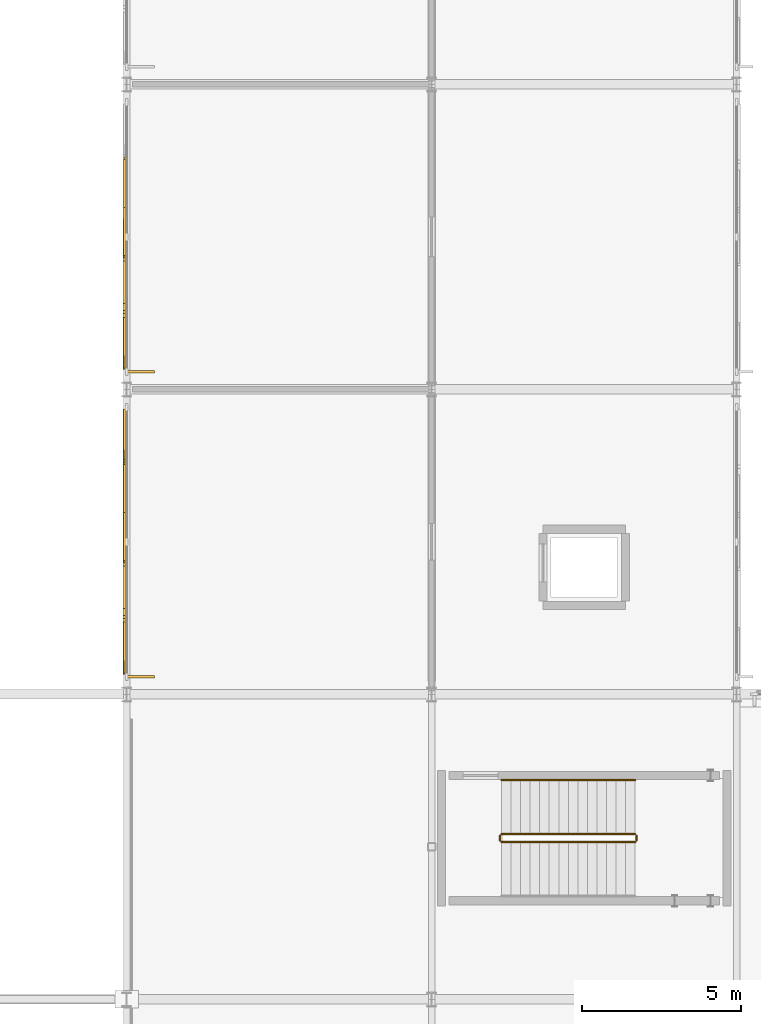
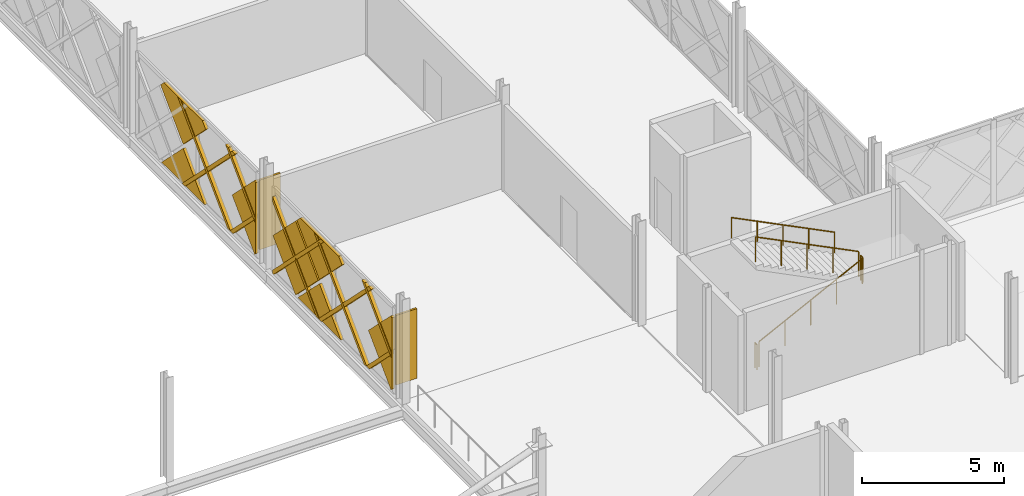
# One storey, part 78 of 101: 17 coverings, 5 railings, 2 shading devices.
"""IFC4 building model written with IfcOpenShell, lengths in metres."""

from ifc_helpers import new_model, si_unit, direction, frame, origin, origin_2d, place, context, subcontext, project, spatial, polyline, rectangle, circle, outline, extrude, material, layer, layer_set, type_object, element, save


model = new_model("IFC4")

# Units and contexts
model_context = context("Model", 3, precision=1e-05, world=origin(), true_north=direction((0.0, 1.0)))
body_context = subcontext(model_context, "Body", "Model", "MODEL_VIEW")
ifc_project = project(units=[si_unit("LENGTHUNIT", "METRE"), si_unit("AREAUNIT", "SQUARE_METRE"), si_unit("VOLUMEUNIT", "CUBIC_METRE"), si_unit("PLANEANGLEUNIT", "RADIAN"), si_unit("MASSUNIT", "GRAM", prefix="KILO")], contexts=[model_context])

# Site, building, storey
site_placement = place(None, origin())
site = spatial("IfcSite", under=ifc_project, at=site_placement, CompositionType="ELEMENT")
building_placement = place(site_placement, origin())
building = spatial("IfcBuilding", under=site, at=building_placement, Name="Zevrakil Square Congress Hotel", CompositionType="ELEMENT")
storey_placement = place(building_placement, frame((0.0, 0.0, 5.39990234375)))
storey = spatial("IfcBuildingStorey", under=building, at=storey_placement, Name="L02", CompositionType="ELEMENT", Elevation=5.39990234375)

# Coverings
ifc_material_1 = material(Name="Architectural White Fibre-C GRC", Category="concrete")
ifc_layer_1 = layer(ifc_material_1, 0.06494140625)
ifc_layer_set_1 = layer_set([ifc_layer_1], Name="Architectural White Fibre-C GRC")
covering_type_1 = type_object("IfcCoveringType", Name="COV-DIA-WHITE", PredefinedType="CLADDING", material=ifc_layer_set_1)
covering_1_placement = place(storey_placement, frame((45.506103515625, 51.320068359375, 1.590087890625), z_axis=(-0.999999673239, 0.0, 0.000808407173), x_axis=(-0.000571630288, -0.707106665659, -0.707106665659)))
element("IfcCovering", 1, at=covering_1_placement, inside=storey, type_object=covering_type_1, Name="L02 45-degree white GRC diamond facade cassette 442", PredefinedType="CLADDING", context=body_context, shape_type="SweptSolid", body=[
    extrude(outline(polyline([(0.0, 0.0), (2.1354766387581616, -2.220446049250313e-16), (6.977908784122633e-07, -2.135476638758047), (0.0, 0.0)])), origin(), (0.0, 0.0, -1.0), 0.1201171875),
])
covering_2_placement = place(storey_placement, frame((45.507080078125, 53.0, 3.27001953125), z_axis=(-0.999999812555, 0.0, 0.000612282088), x_axis=(-0.000432915616, -0.707161000838, -0.707052424844)))
element("IfcCovering", 2, at=covering_2_placement, inside=storey, type_object=covering_type_1, Name="L02 45-degree white GRC diamond facade cassette 443", PredefinedType="CLADDING", context=body_context, shape_type="SweptSolid", body=[
    extrude(outline(polyline([(0.0, 0.0), (2.248551445484592, 0.0), (2.2483792228800303, -2.2487240657380205), (0.013811102109335449, -2.2485525032084603), (-0.000343756005215079, -2.2343954741070595), (0.0, 0.0)])), origin(), (0.0, 0.0, -1.0), 0.1201171875),
])
covering_3_placement = place(storey_placement, frame((45.505126953125, 46.280029296875, 0.090087890625), z_axis=(-0.999999802693, 0.000140288523, 0.000612317754), x_axis=(0.000532173021, 0.707106704163, 0.707106657952)))
element("IfcCovering", 3, at=covering_3_placement, inside=storey, type_object=covering_type_1, Name="L02 45-degree white GRC diamond facade cassette 444", PredefinedType="CLADDING", context=body_context, shape_type="SweptSolid", body=[
    extrude(outline(polyline([(0.0, 0.0), (2.2487240615588604, 0.0), (2.2485518743178146, -2.248551427521986), (2.1637887120631065, -2.2487239918022137), (-2.7753788503503962e-09, -0.08493567308714237), (0.0, 0.0)])), origin(), (0.0, 0.0, -1.0), 0.1201171875),
])
covering_4_placement = place(storey_placement, frame((45.507080078125, 49.72998046875, 3.360107421875), z_axis=(-0.99999988378, 0.0, 0.000482120757), x_axis=(-0.000340910888, 0.70710671759, -0.707106762603)))
element("IfcCovering", 4, at=covering_4_placement, inside=storey, type_object=covering_type_1, Name="L02 45-degree white GRC diamond facade cassette 445", PredefinedType="CLADDING", context=body_context, shape_type="SweptSolid", body=[
    extrude(outline(polyline([(0.0, 0.0), (2.2487240625342793, 0.0), (2.2485510245639677, -2.2485514290272164), (1.9162315727308996, -2.248724013309207), (-1.0582731080344132e-08, -0.33249208530904567), (0.0, 0.0)])), origin(), (0.0, 0.0, -1.0), 0.1201171875),
])
covering_5_placement = place(storey_placement, frame((45.506103515625, 60.919921875, 1.590087890625), z_axis=(-0.999999673239, 0.0, 0.000808407173), x_axis=(-0.000571630288, -0.707106665659, -0.707106665659)))
element("IfcCovering", 5, at=covering_5_placement, inside=storey, type_object=covering_type_1, Name="L02 45-degree white GRC diamond facade cassette 465", PredefinedType="CLADDING", context=body_context, shape_type="SweptSolid", body=[
    extrude(outline(polyline([(0.0, 0.0), (2.1354766387581616, -2.220446049250313e-16), (6.977908784122633e-07, -2.135476638758047), (0.0, 0.0)])), origin(), (0.0, 0.0, -1.0), 0.1201171875),
])
covering_6_placement = place(storey_placement, frame((45.505126953125, 55.8798828125, 0.090087890625), z_axis=(-0.999999802683, 0.000140327885, 0.000612324892), x_axis=(0.000532205901, 0.707106704157, 0.707106657933)))
element("IfcCovering", 6, at=covering_6_placement, inside=storey, type_object=covering_type_1, Name="L02 45-degree white GRC diamond facade cassette 467", PredefinedType="CLADDING", context=body_context, shape_type="SweptSolid", body=[
    extrude(outline(polyline([(0.0, 0.0), (2.248724061551621, 2.220446049250313e-16), (2.2485518743230286, -2.2485514275168326), (2.163961345534469, -2.248551358294879), (0.00017263069657306312, -0.08476303958088106), (0.0, 0.0)])), origin(), (0.0, 0.0, -1.0), 0.1201171875),
])
covering_7_placement = place(storey_placement, frame((45.507080078125, 59.330078125, 3.360107421875), z_axis=(-0.99999988378, 0.0, 0.000482120757), x_axis=(-0.00034093706, 0.707052427073, -0.707161048936)))
element("IfcCovering", 7, at=covering_7_placement, inside=storey, type_object=covering_type_1, Name="L02 45-degree white GRC diamond facade cassette 468", PredefinedType="CLADDING", context=body_context, shape_type="SweptSolid", body=[
    extrude(outline(polyline([(0.0, 0.0), (2.248551435685312, 0.0), (2.2483783844304472, -2.248724055875673), (1.915886300105116, -2.248698479427272), (-0.00019815802754913348, -0.3323194375677735), (0.0, 0.0)])), origin(), (0.0, 0.0, -1.0), 0.1201171875),
])
ifc_material_2 = material(Name="Anodised Champagne Aluminium", Category="aluminium")
ifc_layer_2 = layer(ifc_material_2, 0.0849609375)
ifc_layer_set_2 = layer_set([ifc_layer_2], Name="Anodised Champagne Aluminium")
covering_type_2 = type_object("IfcCoveringType", Name="COV-DIAGRID-45", PredefinedType="MOLDING", material=ifc_layer_set_2)
covering_8_placement = place(storey_placement, frame((45.47998046875, 54.493896484375, 0.080078125), z_axis=(-0.999999883794, -0.000187841865, 0.000443989862), x_axis=(-0.000187841846, 0.999999982358, 8.34e-08)))
element("IfcCovering", 8, at=covering_8_placement, inside=storey, type_object=covering_type_2, Name="L02 45-degree aluminium diagrid rib 446", PredefinedType="MOLDING", context=body_context, shape_type="SweptSolid", body=[
    extrude(outline(polyline([(0.0, 0.0), (0.08618163910455907, 0.0), (0.0861816496313512, -0.12622069068424482), (-3.3027344363086577, -3.515137347849475), (-3.5148926356907024, -3.515137347849475), (0.0, 0.0)])), origin(), (0.0, 0.0, -1.0), 0.14501953125),
])
covering_9_placement = place(storey_placement, frame((45.47998046875, 51.1337890625, 0.080078125), z_axis=(-0.999999804633, 0.0, 0.000625086695), x_axis=(0.0, 1.0, 0.0)))
element("IfcCovering", 9, at=covering_9_placement, inside=storey, type_object=covering_type_2, Name="L02 45-degree aluminium diagrid rib 447", PredefinedType="MOLDING", context=body_context, shape_type="SweptSolid", body=[
    extrude(outline(polyline([(0.0, 0.0), (0.21240234375, 0.0), (-3.302734375, -3.515137405490821), (-3.514892578125, -3.515137405490821), (0.0, 0.0)])), origin(), (0.0, 0.0, -1.0), 0.14501953125),
])
covering_10_placement = place(storey_placement, frame((45.47998046875, 47.77392578125, 0.080078125), z_axis=(-0.999999559446, 0.000244467201, 0.000906280278), x_axis=(0.000244467101, 0.999999970118, -2.21556e-07)))
element("IfcCovering", 10, at=covering_10_placement, inside=storey, type_object=covering_type_2, Name="L02 45-degree aluminium diagrid rib 448", PredefinedType="MOLDING", context=body_context, shape_type="SweptSolid", body=[
    extrude(outline(polyline([(0.0, 0.0), (0.21215819678526596, 0.0), (-1.5539551245604528, -1.766113662255786), (-1.5539551372399212, -1.5539553249983964), (0.0, 0.0)])), origin(), (0.0, 0.0, -1.0), 0.14501953125),
])
covering_11_placement = place(storey_placement, frame((45.48193359375, 54.580078125, 3.154052734375), z_axis=(-0.999999905696, 0.00030708991, 0.00030708991), x_axis=(0.000307089896, -9.4304e-08, 0.999999952848)))
element("IfcCovering", 11, at=covering_11_placement, inside=storey, type_object=covering_type_2, Name="L02 45-degree aluminium diagrid rib 449", PredefinedType="MOLDING", context=body_context, shape_type="SweptSolid", body=[
    extrude(outline(polyline([(0.0, 0.0), (0.2121581931212936, 0.0), (-3.0739747543193885, -3.2861332573369064), (-3.073974774326802, -3.0739750642156136), (0.0, 0.0)])), origin(), (0.0, 0.0, -1.0), 0.14501953125),
])
covering_12_placement = place(storey_placement, frame((45.482177734375, 51.6611328125, 3.59521484375), z_axis=(-0.999999804633, 0.0, 0.000625086695), x_axis=(0.0, -1.0, 0.0)))
element("IfcCovering", 12, at=covering_12_placement, inside=storey, type_object=covering_type_2, Name="L02 45-degree aluminium diagrid rib 450", PredefinedType="MOLDING", context=body_context, shape_type="SweptSolid", body=[
    extrude(outline(polyline([(0.0, 0.0), (0.212158203125, 0.0), (3.727294921875, -3.5151374054908215), (3.51513671875, -3.5151374054908215), (0.0, 0.0)])), origin(), (0.0, 0.0, -1.0), 0.14501953125),
])
covering_13_placement = place(storey_placement, frame((45.482177734375, 48.301025390625, 3.59521484375), z_axis=(-0.999999904499, 0.000309210719, 0.000308855304), x_axis=(-0.000309210704, -0.999999952194, 9.5501e-08)))
element("IfcCovering", 13, at=covering_13_placement, inside=storey, type_object=covering_type_2, Name="L02 45-degree aluminium diagrid rib 451", PredefinedType="MOLDING", context=body_context, shape_type="SweptSolid", body=[
    extrude(outline(polyline([(0.0, 0.0), (0.21215819298264227, 0.0), (2.0810547869861464, -1.8688967722571304), (2.0810547667014307, -2.08129910587643), (0.0, 0.0)])), origin(), (0.0, 0.0, -1.0), 0.14501953125),
])
covering_14_placement = place(storey_placement, frame((45.47998046875, 60.73388671875, 0.080078125), z_axis=(-0.999999804633, 0.0, 0.000625086695), x_axis=(0.0, 1.0, 0.0)))
element("IfcCovering", 14, at=covering_14_placement, inside=storey, type_object=covering_type_2, Name="L02 45-degree aluminium diagrid rib 470", PredefinedType="MOLDING", context=body_context, shape_type="SweptSolid", body=[
    extrude(outline(polyline([(0.0, 0.0), (0.212158203125, 0.0), (-3.302734375, -3.5151374054908215), (-3.514892578125, -3.5151374054908215), (0.0, 0.0)])), origin(), (0.0, 0.0, -1.0), 0.14501953125),
])
covering_15_placement = place(storey_placement, frame((45.47998046875, 57.373779296875, 0.080078125), z_axis=(-0.999999559614, 0.0002443356, 0.00090613071), x_axis=(0.0002443355, 0.99999997015, -2.214e-07)))
element("IfcCovering", 15, at=covering_15_placement, inside=storey, type_object=covering_type_2, Name="L02 45-degree aluminium diagrid rib 471", PredefinedType="MOLDING", context=body_context, shape_type="SweptSolid", body=[
    extrude(outline(polyline([(0.0, 0.0), (0.2124023374098021, 0.0), (-1.5537109838781846, -1.7661136623125855), (-1.5537109965585807, -1.5539553250629556), (0.0, 0.0)])), origin(), (0.0, 0.0, -1.0), 0.14501953125),
])
covering_16_placement = place(storey_placement, frame((45.482177734375, 61.260986328125, 3.59521484375), z_axis=(-0.999999804633, 0.0, 0.000625086695), x_axis=(0.0, -1.0, 0.0)))
element("IfcCovering", 16, at=covering_16_placement, inside=storey, type_object=covering_type_2, Name="L02 45-degree aluminium diagrid rib 473", PredefinedType="MOLDING", context=body_context, shape_type="SweptSolid", body=[
    extrude(outline(polyline([(0.0, 0.0), (0.212158203125, 0.0), (3.72705078125, -3.5151374054908215), (3.514892578125, -3.5151374054908215), (0.0, 0.0)])), origin(), (0.0, 0.0, -1.0), 0.14501953125),
])
covering_17_placement = place(storey_placement, frame((45.482177734375, 57.901123046875, 3.59521484375), z_axis=(-0.999999904499, 0.000309210719, 0.000308855304), x_axis=(-0.000309210704, -0.999999952194, 9.5501e-08)))
element("IfcCovering", 17, at=covering_17_placement, inside=storey, type_object=covering_type_2, Name="L02 45-degree aluminium diagrid rib 474", PredefinedType="MOLDING", context=body_context, shape_type="SweptSolid", body=[
    extrude(outline(polyline([(0.0, 0.0), (0.21215819298264227, 0.0), (2.0810547869861464, -1.8688967722571304), (2.0810547667014307, -2.08129910587643), (0.0, 0.0)])), origin(), (0.0, 0.0, -1.0), 0.14501953125),
])

# Railings
ifc_material_3 = material(Name="Steel S355", Category="steel")
railing_type_1 = type_object("IfcRailingType", Name="RLG-STAIR-GUARD-1100", PredefinedType="BALUSTRADE", material=ifc_material_3)
railing_1_placement = place(storey_placement, frame((57.39990234375, 40.949951171875, 0.150146484375)))
element("IfcRailing", 18, at=railing_1_placement, inside=storey, type_object=railing_type_1, Name="L02 ST04 stair guard 1", PredefinedType="BALUSTRADE", context=body_context, shape_type="SweptSolid", body=[
    extrude(circle(Radius=0.02392578125, at=origin_2d()), frame((0.0, 0.0, 1.076171875), z_axis=(0.894447986312, 0.0, 0.447172002457), x_axis=(0.0, 1.0, 0.0)), (0.0, 0.0, 1.0), 4.69580078125),
    extrude(circle(Radius=0.02099609375, at=origin_2d()), origin(), (0.0, 0.0, 1.0), 1.052001953125),
    extrude(circle(Radius=0.02099609375, at=origin_2d()), frame((1.050048828125, 0.0, 0.52490234375)), (0.0, 0.0, 1.0), 1.052001953125),
    extrude(circle(Radius=0.02099609375, at=origin_2d()), frame((2.10009765625, 0.0, 1.0498046875)), (0.0, 0.0, 1.0), 1.052001953125),
    extrude(circle(Radius=0.02099609375, at=origin_2d()), frame((3.150146484375, 0.0, 1.574951171875)), (0.0, 0.0, 1.0), 1.052001953125),
    extrude(circle(Radius=0.02099609375, at=origin_2d()), frame((4.2001953125, 0.0, 2.099853515625)), (0.0, 0.0, 1.0), 1.052001953125),
])
railing_2_placement = place(storey_placement, frame((61.64990234375, 41.0, 2.25)))
element("IfcRailing", 19, at=railing_2_placement, inside=storey, type_object=railing_type_1, Name="L02 ST04 stair guard 2", PredefinedType="BALUSTRADE", context=body_context, shape_type="SweptSolid", body=[
    extrude(circle(Radius=0.02392578125, at=origin_2d()), frame((0.0, 0.0, 1.076171875), z_axis=(0.0, 1.0, 0.0), x_axis=(-1.0, 0.0, 0.0)), (0.0, 0.0, 1.0), 0.14990234375),
    extrude(circle(Radius=0.02099609375, at=origin_2d()), origin(), (0.0, 0.0, 1.0), 1.052001953125),
    extrude(circle(Radius=0.02099609375, at=origin_2d()), frame((0.0, 0.14990234375, 0.0)), (0.0, 0.0, 1.0), 1.052001953125),
])
railing_3_placement = place(storey_placement, frame((61.60009765625, 41.199951171875, 2.400146484375)))
element("IfcRailing", 20, at=railing_3_placement, inside=storey, type_object=railing_type_1, Name="L02 ST04 stair guard 3", PredefinedType="BALUSTRADE", context=body_context, shape_type="SweptSolid", body=[
    extrude(circle(Radius=0.02392578125, at=origin_2d()), frame((0.0, 0.0, 1.076171875), z_axis=(-0.894447986312, 0.0, 0.447172002457), x_axis=(0.0, -1.0, 0.0)), (0.0, 0.0, 1.0), 4.69580078125),
    extrude(circle(Radius=0.02099609375, at=origin_2d()), origin(), (0.0, 0.0, 1.0), 1.052001953125),
    extrude(circle(Radius=0.02099609375, at=origin_2d()), frame((-1.050048828125, 0.0, 0.52490234375)), (0.0, 0.0, 1.0), 1.052001953125),
    extrude(circle(Radius=0.02099609375, at=origin_2d()), frame((-2.10009765625, 0.0, 1.0498046875)), (0.0, 0.0, 1.0), 1.052001953125),
    extrude(circle(Radius=0.02099609375, at=origin_2d()), frame((-3.150146484375, 0.0, 1.574951171875)), (0.0, 0.0, 1.0), 1.052001953125),
    extrude(circle(Radius=0.02099609375, at=origin_2d()), frame((-4.2001953125, 0.0, 2.099853515625)), (0.0, 0.0, 1.0), 1.052001953125),
])
railing_4_placement = place(storey_placement, frame((57.35009765625, 41.0, 0.0)))
element("IfcRailing", 21, at=railing_4_placement, inside=storey, type_object=railing_type_1, Name="L02 ST04 stair guard 4", PredefinedType="BALUSTRADE", context=body_context, shape_type="SweptSolid", body=[
    extrude(circle(Radius=0.02392578125, at=origin_2d()), frame((0.0, 0.0, 1.076171875), z_axis=(0.0, 1.0, 0.0), x_axis=(-1.0, 0.0, 0.0)), (0.0, 0.0, 1.0), 0.14990234375),
    extrude(circle(Radius=0.02099609375, at=origin_2d()), origin(), (0.0, 0.0, 1.0), 1.052001953125),
    extrude(circle(Radius=0.02099609375, at=origin_2d()), frame((0.0, 0.14990234375, 0.0)), (0.0, 0.0, 1.0), 1.052001953125),
])
ifc_material_4 = material(Name="Steel S355", Category="steel")
railing_type_2 = type_object("IfcRailingType", Name="RLG-STAIR-HAND-900", PredefinedType="HANDRAIL", material=ifc_material_4)
railing_5_placement = place(storey_placement, frame((61.60009765625, 42.89990234375, 2.400146484375)))
element("IfcRailing", 22, at=railing_5_placement, inside=storey, type_object=railing_type_2, Name="L02 ST04 stair handrail 2", PredefinedType="HANDRAIL", context=body_context, shape_type="SweptSolid", body=[
    extrude(circle(Radius=0.02392578125, at=origin_2d()), frame((0.0, 0.0, 0.8759765625), z_axis=(-0.894447986312, 0.0, 0.447172002457), x_axis=(0.0, -1.0, 0.0)), (0.0, 0.0, 1.0), 4.69580078125),
    extrude(circle(Radius=0.02099609375, at=origin_2d()), origin(), (0.0, 0.0, 1.0), 0.851806640625),
    extrude(circle(Radius=0.02099609375, at=origin_2d()), frame((-1.050048828125, 0.0, 0.52490234375)), (0.0, 0.0, 1.0), 0.851806640625),
    extrude(circle(Radius=0.02099609375, at=origin_2d()), frame((-2.10009765625, 0.0, 1.0498046875)), (0.0, 0.0, 1.0), 0.851806640625),
    extrude(circle(Radius=0.02099609375, at=origin_2d()), frame((-3.150146484375, 0.0, 1.574951171875)), (0.0, 0.0, 1.0), 0.851806640625),
    extrude(circle(Radius=0.02099609375, at=origin_2d()), frame((-4.2001953125, 0.0, 2.099853515625)), (0.0, 0.0, 1.0), 0.851806640625),
])

# Shading devices
ifc_material_5 = material(Name="Aluminium Anodised Bronze", Category="aluminium")
shading_device_type = type_object("IfcShadingDeviceType", Name="SHD-FIN-85", PredefinedType="USERDEFINED", material=ifc_material_5)
for number, where, z_axis, x_axis, name in (
    (23, (46.044921875, 46.159912109375, 0.337646484375), (0.0, 0.0, 1.0), (1.0, 0.0, 0.0), "L02 aluminium solar shading fin 24"),
    (24, (46.044921875, 55.760009765625, 0.337646484375), (0.0, 0.0, 1.0), (1.0, 0.0, 0.0), "L02 aluminium solar shading fin 26"),
):
    element("IfcShadingDevice", number, at=place(storey_placement, frame(where, z_axis=z_axis, x_axis=x_axis)), inside=storey, type_object=shading_device_type, Name=name, ObjectType="SOLAR FIN", PredefinedType="USERDEFINED", context=body_context, shape_type="SweptSolid", body=[
        extrude(rectangle(XDim=0.85009765625, YDim=0.080078125, at=origin_2d()), origin(), (0.0, 0.0, 1.0), 3.0),
    ])

save(model, "model.ifc")
